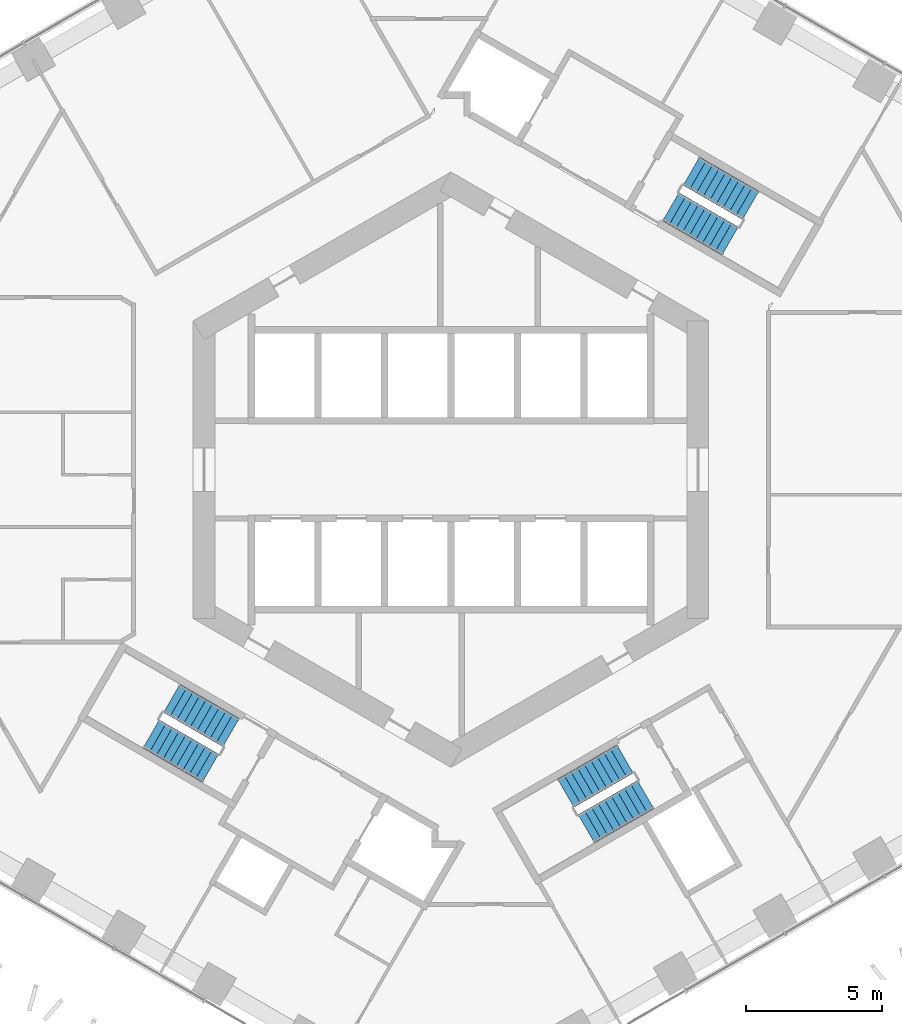
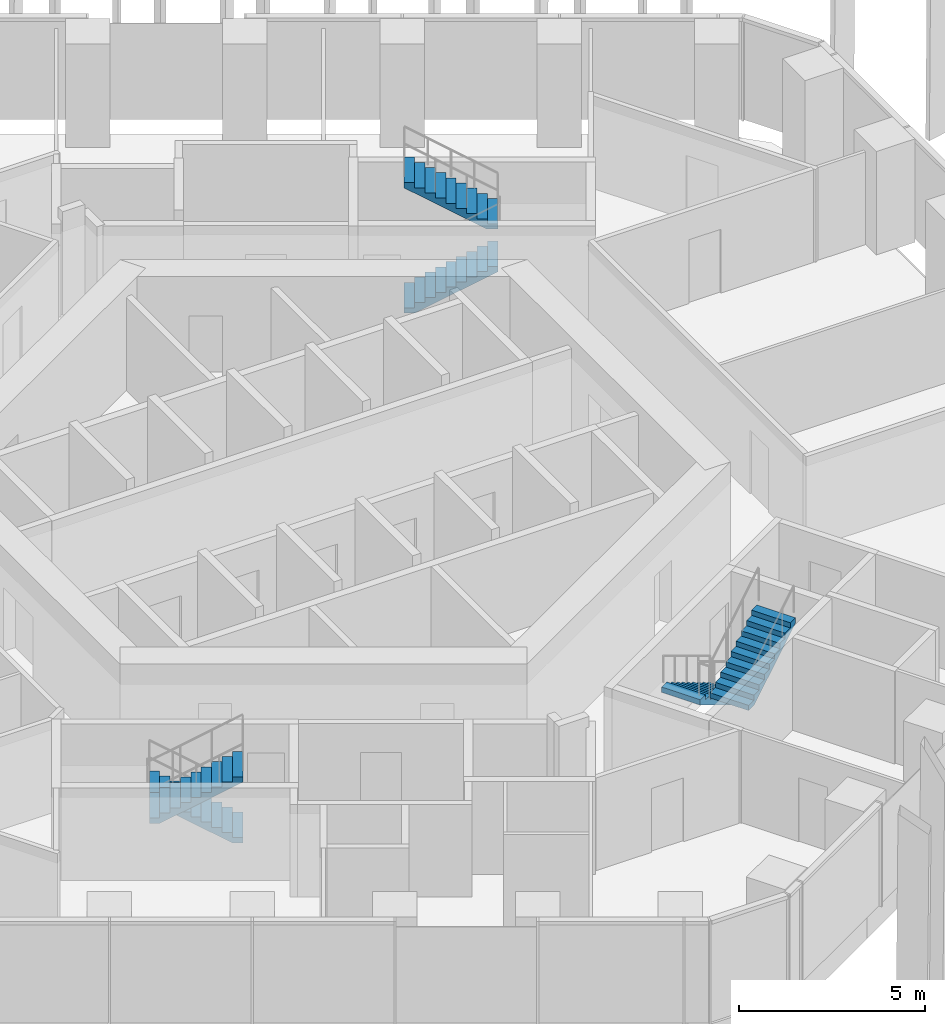
# One storey, part 16 of 19: 6 stair flights, 3 elements without a shape of their own.
"""IFC4 building model written with IfcOpenShell, lengths in metres."""

from ifc_helpers import new_model, si_unit, direction, frame, origin, place, context, subcontext, project, spatial, triangles, material, type_object, element, aggregate, save


model = new_model("IFC4")

# Units and contexts
model_context = context("Model", 3, precision=1e-05, world=origin(), true_north=direction((0.0, 1.0)))
body_context = subcontext(model_context, "Body", "Model", "MODEL_VIEW")
ifc_project = project(units=[si_unit("LENGTHUNIT", "METRE"), si_unit("AREAUNIT", "SQUARE_METRE"), si_unit("VOLUMEUNIT", "CUBIC_METRE"), si_unit("PLANEANGLEUNIT", "RADIAN"), si_unit("MASSUNIT", "GRAM", prefix="KILO")], contexts=[model_context])

# Site, building, storey
site_placement = place(None, origin())
site = spatial("IfcSite", under=ifc_project, at=site_placement, CompositionType="ELEMENT")
building_placement = place(site_placement, origin())
building = spatial("IfcBuilding", under=site, at=building_placement, Name="Ayvan Gate Tower", CompositionType="ELEMENT")
storey_placement = place(building_placement, frame((0.0, 0.0, 56.10009765625)))
storey = spatial("IfcBuildingStorey", under=building, at=storey_placement, Name="L14", CompositionType="ELEMENT", Elevation=56.10009765625)

# Stair, stair flights
ifc_material = material(Name="Concrete C40/50", Category="concrete")
stair_type = type_object("IfcStairType", Name="ST-EXIT", PredefinedType="HALF_TURN_STAIR", material=ifc_material)
stair_1_placement = place(storey_placement, origin())
stair_1 = element("IfcStair", 1, at=stair_1_placement, inside=storey, type_object=stair_type, Name="L14 Exit Stair S1", PredefinedType="HALF_TURN_STAIR")
stair_flight_type = type_object("IfcStairFlightType", Name="SFL-EXIT", PredefinedType="STRAIGHT", material=ifc_material)
stair_flight_1_placement = place(storey_placement, frame((8.106201171875, 9.690185546875, 0.0), z_axis=(0.0, 0.0, 1.0), x_axis=(0.866025403784, -0.5, 0.0)))
stair_flight_1 = element("IfcStairFlight", 2, at=stair_flight_1_placement, type_object=stair_flight_type, Name="STS1 flight 1", NumberOfRisers=10, NumberOfTreads=9, PredefinedType="STRAIGHT", RiserHeight=0.17, TreadLength=0.28, context=body_context, shape_type="Tessellation", body=[
    triangles([(0.288841, -0.599976, 0.0), (2.5205, -0.599976, 1.354936), (2.5205, -0.599976, 1.53), (2.24, -0.599976, 1.53), (2.24, -0.599976, 1.36), (1.96, -0.599976, 1.36), (1.96, -0.599976, 1.19), (1.68, -0.599976, 1.19), (1.68, -0.599976, 1.02), (1.4, -0.599976, 1.02), (1.4, -0.599976, 0.85), (1.12, -0.599976, 0.85), (1.12, -0.599976, 0.68), (0.84, -0.599976, 0.68), (0.84, -0.599976, 0.51), (0.56, -0.599976, 0.51), (0.56, -0.599976, 0.34), (0.28, -0.599976, 0.34), (0.28, -0.599976, 0.17), (-0.0005, -0.599976, 0.17), (-0.0005, -0.599976, 0.0), (0.288841, 0.0, 0.0), (2.5205, 0.0, 1.354936), (2.5205, 0.0, 1.53), (2.24, 0.0, 1.53), (2.24, 0.0, 1.36), (1.96, 0.0, 1.36), (1.96, 0.0, 1.19), (1.68, 0.0, 1.19), (1.68, 0.0, 1.02), (1.4, 0.0, 1.02), (1.4, 0.0, 0.85), (1.12, 0.0, 0.85), (1.12, 0.0, 0.68), (0.84, 0.0, 0.68), (0.84, 0.0, 0.51), (0.56, 0.0, 0.51), (0.56, 0.0, 0.34), (0.28, 0.0, 0.34), (0.28, 0.0, 0.17), (-0.0005, 0.0, 0.17), (-0.0005, 0.0, 0.0), (0.288841, 0.599976, 0.0), (2.5205, 0.599976, 1.354936), (2.5205, 0.599976, 1.53), (2.24, 0.599976, 1.53), (2.24, 0.599976, 1.36), (1.96, 0.599976, 1.36), (1.96, 0.599976, 1.19), (1.68, 0.599976, 1.19), (1.68, 0.599976, 1.02), (1.4, 0.599976, 1.02), (1.4, 0.599976, 0.85), (1.12, 0.599976, 0.85), (1.12, 0.599976, 0.68), (0.84, 0.599976, 0.68), (0.84, 0.599976, 0.51), (0.56, 0.599976, 0.51), (0.56, 0.599976, 0.34), (0.28, 0.599976, 0.34), (0.28, 0.599976, 0.17), (-0.0005, 0.599976, 0.17), (-0.0005, 0.599976, 0.0)], [[21, 1, 2], [63, 44, 43], [2, 3, 4], [44, 46, 45], [2, 4, 5], [44, 47, 46], [2, 5, 6], [44, 48, 47], [2, 6, 7], [44, 49, 48], [7, 8, 9], [49, 51, 50], [2, 7, 9], [44, 51, 49], [9, 10, 11], [51, 53, 52], [2, 9, 11], [44, 53, 51], [11, 12, 13], [53, 55, 54], [2, 11, 13], [44, 55, 53], [13, 14, 15], [55, 57, 56], [2, 13, 15], [44, 57, 55], [15, 16, 17], [57, 59, 58], [2, 15, 17], [44, 59, 57], [17, 18, 19], [59, 61, 60], [2, 17, 19], [44, 61, 59], [21, 2, 19], [63, 61, 44], [19, 20, 21], [61, 63, 62], [1, 22, 23], [1, 23, 2], [43, 23, 22], [43, 44, 23], [2, 23, 24], [2, 24, 3], [44, 24, 23], [44, 45, 24], [3, 24, 25], [3, 25, 4], [45, 25, 24], [45, 46, 25], [4, 25, 26], [4, 26, 5], [46, 26, 25], [46, 47, 26], [5, 26, 27], [5, 27, 6], [47, 27, 26], [47, 48, 27], [6, 27, 28], [6, 28, 7], [48, 28, 27], [48, 49, 28], [7, 28, 29], [7, 29, 8], [49, 29, 28], [49, 50, 29], [8, 29, 30], [8, 30, 9], [50, 30, 29], [50, 51, 30], [9, 30, 31], [9, 31, 10], [51, 31, 30], [51, 52, 31], [10, 31, 32], [10, 32, 11], [52, 32, 31], [52, 53, 32], [11, 32, 33], [11, 33, 12], [53, 33, 32], [53, 54, 33], [12, 33, 34], [12, 34, 13], [54, 34, 33], [54, 55, 34], [13, 34, 35], [13, 35, 14], [55, 35, 34], [55, 56, 35], [14, 35, 36], [14, 36, 15], [56, 36, 35], [56, 57, 36], [15, 36, 37], [15, 37, 16], [57, 37, 36], [57, 58, 37], [16, 37, 38], [16, 38, 17], [58, 38, 37], [58, 59, 38], [17, 38, 39], [17, 39, 18], [59, 39, 38], [59, 60, 39], [18, 39, 40], [18, 40, 19], [60, 40, 39], [60, 61, 40], [19, 40, 41], [19, 41, 20], [61, 41, 40], [61, 62, 41], [20, 41, 42], [20, 42, 21], [62, 42, 41], [62, 63, 42], [21, 42, 22], [21, 22, 1], [63, 22, 42], [63, 43, 22]], closed=True),
])
stair_flight_2_placement = place(storey_placement, frame((11.04345703125, 9.73779296875, 1.699951171875), z_axis=(0.0, 0.0, 1.0), x_axis=(-0.866025403784, 0.5, 0.0)))
stair_flight_2 = element("IfcStairFlight", 3, at=stair_flight_2_placement, type_object=stair_flight_type, Name="STS1 flight 2", NumberOfRisers=10, NumberOfTreads=9, PredefinedType="STRAIGHT", RiserHeight=0.17, TreadLength=0.28, context=body_context, shape_type="Tessellation", body=[
    triangles([(0.288841, -0.599976, 0.0), (2.5205, -0.599976, 1.354936), (2.5205, -0.599976, 1.53), (2.24, -0.599976, 1.53), (2.24, -0.599976, 1.36), (1.96, -0.599976, 1.36), (1.96, -0.599976, 1.19), (1.68, -0.599976, 1.19), (1.68, -0.599976, 1.02), (1.4, -0.599976, 1.02), (1.4, -0.599976, 0.85), (1.12, -0.599976, 0.85), (1.12, -0.599976, 0.68), (0.84, -0.599976, 0.68), (0.84, -0.599976, 0.51), (0.56, -0.599976, 0.51), (0.56, -0.599976, 0.34), (0.28, -0.599976, 0.34), (0.28, -0.599976, 0.17), (-0.0005, -0.599976, 0.17), (-0.0005, -0.599976, 0.0), (0.288841, 0.0, 0.0), (2.5205, 0.0, 1.354936), (2.5205, 0.0, 1.53), (2.24, 0.0, 1.53), (2.24, 0.0, 1.36), (1.96, 0.0, 1.36), (1.96, 0.0, 1.19), (1.68, 0.0, 1.19), (1.68, 0.0, 1.02), (1.4, 0.0, 1.02), (1.4, 0.0, 0.85), (1.12, 0.0, 0.85), (1.12, 0.0, 0.68), (0.84, 0.0, 0.68), (0.84, 0.0, 0.51), (0.56, 0.0, 0.51), (0.56, 0.0, 0.34), (0.28, 0.0, 0.34), (0.28, 0.0, 0.17), (-0.0005, 0.0, 0.17), (-0.0005, 0.0, 0.0), (0.288841, 0.599976, 0.0), (2.5205, 0.599976, 1.354936), (2.5205, 0.599976, 1.53), (2.24, 0.599976, 1.53), (2.24, 0.599976, 1.36), (1.96, 0.599976, 1.36), (1.96, 0.599976, 1.19), (1.68, 0.599976, 1.19), (1.68, 0.599976, 1.02), (1.4, 0.599976, 1.02), (1.4, 0.599976, 0.85), (1.12, 0.599976, 0.85), (1.12, 0.599976, 0.68), (0.84, 0.599976, 0.68), (0.84, 0.599976, 0.51), (0.56, 0.599976, 0.51), (0.56, 0.599976, 0.34), (0.28, 0.599976, 0.34), (0.28, 0.599976, 0.17), (-0.0005, 0.599976, 0.17), (-0.0005, 0.599976, 0.0)], [[21, 1, 2], [63, 44, 43], [2, 3, 4], [44, 46, 45], [2, 4, 5], [44, 47, 46], [2, 5, 6], [44, 48, 47], [2, 6, 7], [44, 49, 48], [7, 8, 9], [49, 51, 50], [2, 7, 9], [44, 51, 49], [9, 10, 11], [51, 53, 52], [2, 9, 11], [44, 53, 51], [11, 12, 13], [53, 55, 54], [2, 11, 13], [44, 55, 53], [13, 14, 15], [55, 57, 56], [2, 13, 15], [44, 57, 55], [15, 16, 17], [57, 59, 58], [2, 15, 17], [44, 59, 57], [17, 18, 19], [59, 61, 60], [2, 17, 19], [44, 61, 59], [21, 2, 19], [63, 61, 44], [19, 20, 21], [61, 63, 62], [1, 22, 23], [1, 23, 2], [43, 23, 22], [43, 44, 23], [2, 23, 24], [2, 24, 3], [44, 24, 23], [44, 45, 24], [3, 24, 25], [3, 25, 4], [45, 25, 24], [45, 46, 25], [4, 25, 26], [4, 26, 5], [46, 26, 25], [46, 47, 26], [5, 26, 27], [5, 27, 6], [47, 27, 26], [47, 48, 27], [6, 27, 28], [6, 28, 7], [48, 28, 27], [48, 49, 28], [7, 28, 29], [7, 29, 8], [49, 29, 28], [49, 50, 29], [8, 29, 30], [8, 30, 9], [50, 30, 29], [50, 51, 30], [9, 30, 31], [9, 31, 10], [51, 31, 30], [51, 52, 31], [10, 31, 32], [10, 32, 11], [52, 32, 31], [52, 53, 32], [11, 32, 33], [11, 33, 12], [53, 33, 32], [53, 54, 33], [12, 33, 34], [12, 34, 13], [54, 34, 33], [54, 55, 34], [13, 34, 35], [13, 35, 14], [55, 35, 34], [55, 56, 35], [14, 35, 36], [14, 36, 15], [56, 36, 35], [56, 57, 36], [15, 36, 37], [15, 37, 16], [57, 37, 36], [57, 58, 37], [16, 37, 38], [16, 38, 17], [58, 38, 37], [58, 59, 38], [17, 38, 39], [17, 39, 18], [59, 39, 38], [59, 60, 39], [18, 39, 40], [18, 40, 19], [60, 40, 39], [60, 61, 40], [19, 40, 41], [19, 41, 20], [61, 41, 40], [61, 62, 41], [20, 41, 42], [20, 42, 21], [62, 42, 41], [62, 63, 42], [21, 42, 22], [21, 22, 1], [63, 22, 42], [63, 43, 22]], closed=True),
])
aggregate(stair_1, [stair_flight_1, stair_flight_2])

stair_2_placement = place(storey_placement, origin())
stair_2 = element("IfcStair", 4, at=stair_2_placement, inside=storey, type_object=stair_type, Name="L14 Exit Stair S2", PredefinedType="HALF_TURN_STAIR")
stair_flight_3_placement = place(storey_placement, frame((-8.106201171875, -9.690185546875, 0.0), z_axis=(0.0, 0.0, 1.0), x_axis=(-0.866025403784, 0.5, 0.0)))
stair_flight_3 = element("IfcStairFlight", 5, at=stair_flight_3_placement, type_object=stair_flight_type, Name="STS2 flight 1", NumberOfRisers=10, NumberOfTreads=9, PredefinedType="STRAIGHT", RiserHeight=0.17, TreadLength=0.28, context=body_context, shape_type="Tessellation", body=[
    triangles([(0.288841, -0.599976, 0.0), (2.5205, -0.599976, 1.354936), (2.5205, -0.599976, 1.53), (2.24, -0.599976, 1.53), (2.24, -0.599976, 1.36), (1.96, -0.599976, 1.36), (1.96, -0.599976, 1.19), (1.68, -0.599976, 1.19), (1.68, -0.599976, 1.02), (1.4, -0.599976, 1.02), (1.4, -0.599976, 0.85), (1.12, -0.599976, 0.85), (1.12, -0.599976, 0.68), (0.84, -0.599976, 0.68), (0.84, -0.599976, 0.51), (0.56, -0.599976, 0.51), (0.56, -0.599976, 0.34), (0.28, -0.599976, 0.34), (0.28, -0.599976, 0.17), (-0.0005, -0.599976, 0.17), (-0.0005, -0.599976, 0.0), (0.288841, 0.0, 0.0), (2.5205, 0.0, 1.354936), (2.5205, 0.0, 1.53), (2.24, 0.0, 1.53), (2.24, 0.0, 1.36), (1.96, 0.0, 1.36), (1.96, 0.0, 1.19), (1.68, 0.0, 1.19), (1.68, 0.0, 1.02), (1.4, 0.0, 1.02), (1.4, 0.0, 0.85), (1.12, 0.0, 0.85), (1.12, 0.0, 0.68), (0.84, 0.0, 0.68), (0.84, 0.0, 0.51), (0.56, 0.0, 0.51), (0.56, 0.0, 0.34), (0.28, 0.0, 0.34), (0.28, 0.0, 0.17), (-0.0005, 0.0, 0.17), (-0.0005, 0.0, 0.0), (0.288841, 0.599976, 0.0), (2.5205, 0.599976, 1.354936), (2.5205, 0.599976, 1.53), (2.24, 0.599976, 1.53), (2.24, 0.599976, 1.36), (1.96, 0.599976, 1.36), (1.96, 0.599976, 1.19), (1.68, 0.599976, 1.19), (1.68, 0.599976, 1.02), (1.4, 0.599976, 1.02), (1.4, 0.599976, 0.85), (1.12, 0.599976, 0.85), (1.12, 0.599976, 0.68), (0.84, 0.599976, 0.68), (0.84, 0.599976, 0.51), (0.56, 0.599976, 0.51), (0.56, 0.599976, 0.34), (0.28, 0.599976, 0.34), (0.28, 0.599976, 0.17), (-0.0005, 0.599976, 0.17), (-0.0005, 0.599976, 0.0)], [[21, 1, 2], [63, 44, 43], [2, 3, 4], [44, 46, 45], [2, 4, 5], [44, 47, 46], [2, 5, 6], [44, 48, 47], [2, 6, 7], [44, 49, 48], [7, 8, 9], [49, 51, 50], [2, 7, 9], [44, 51, 49], [9, 10, 11], [51, 53, 52], [2, 9, 11], [44, 53, 51], [11, 12, 13], [53, 55, 54], [2, 11, 13], [44, 55, 53], [13, 14, 15], [55, 57, 56], [2, 13, 15], [44, 57, 55], [15, 16, 17], [57, 59, 58], [2, 15, 17], [44, 59, 57], [17, 18, 19], [59, 61, 60], [2, 17, 19], [44, 61, 59], [21, 2, 19], [63, 61, 44], [19, 20, 21], [61, 63, 62], [1, 22, 23], [1, 23, 2], [43, 23, 22], [43, 44, 23], [2, 23, 24], [2, 24, 3], [44, 24, 23], [44, 45, 24], [3, 24, 25], [3, 25, 4], [45, 25, 24], [45, 46, 25], [4, 25, 26], [4, 26, 5], [46, 26, 25], [46, 47, 26], [5, 26, 27], [5, 27, 6], [47, 27, 26], [47, 48, 27], [6, 27, 28], [6, 28, 7], [48, 28, 27], [48, 49, 28], [7, 28, 29], [7, 29, 8], [49, 29, 28], [49, 50, 29], [8, 29, 30], [8, 30, 9], [50, 30, 29], [50, 51, 30], [9, 30, 31], [9, 31, 10], [51, 31, 30], [51, 52, 31], [10, 31, 32], [10, 32, 11], [52, 32, 31], [52, 53, 32], [11, 32, 33], [11, 33, 12], [53, 33, 32], [53, 54, 33], [12, 33, 34], [12, 34, 13], [54, 34, 33], [54, 55, 34], [13, 34, 35], [13, 35, 14], [55, 35, 34], [55, 56, 35], [14, 35, 36], [14, 36, 15], [56, 36, 35], [56, 57, 36], [15, 36, 37], [15, 37, 16], [57, 37, 36], [57, 58, 37], [16, 37, 38], [16, 38, 17], [58, 38, 37], [58, 59, 38], [17, 38, 39], [17, 39, 18], [59, 39, 38], [59, 60, 39], [18, 39, 40], [18, 40, 19], [60, 40, 39], [60, 61, 40], [19, 40, 41], [19, 41, 20], [61, 41, 40], [61, 62, 41], [20, 41, 42], [20, 42, 21], [62, 42, 41], [62, 63, 42], [21, 42, 22], [21, 22, 1], [63, 22, 42], [63, 43, 22]], closed=True),
])
stair_flight_4_placement = place(storey_placement, frame((-11.04345703125, -9.73779296875, 1.699951171875), z_axis=(0.0, 0.0, 1.0), x_axis=(0.866025403784, -0.5, 0.0)))
stair_flight_4 = element("IfcStairFlight", 6, at=stair_flight_4_placement, type_object=stair_flight_type, Name="STS2 flight 2", NumberOfRisers=10, NumberOfTreads=9, PredefinedType="STRAIGHT", RiserHeight=0.17, TreadLength=0.28, context=body_context, shape_type="Tessellation", body=[
    triangles([(0.288841, -0.599976, 0.0), (2.5205, -0.599976, 1.354936), (2.5205, -0.599976, 1.53), (2.24, -0.599976, 1.53), (2.24, -0.599976, 1.36), (1.96, -0.599976, 1.36), (1.96, -0.599976, 1.19), (1.68, -0.599976, 1.19), (1.68, -0.599976, 1.02), (1.4, -0.599976, 1.02), (1.4, -0.599976, 0.85), (1.12, -0.599976, 0.85), (1.12, -0.599976, 0.68), (0.84, -0.599976, 0.68), (0.84, -0.599976, 0.51), (0.56, -0.599976, 0.51), (0.56, -0.599976, 0.34), (0.28, -0.599976, 0.34), (0.28, -0.599976, 0.17), (-0.0005, -0.599976, 0.17), (-0.0005, -0.599976, 0.0), (0.288841, 0.0, 0.0), (2.5205, 0.0, 1.354936), (2.5205, 0.0, 1.53), (2.24, 0.0, 1.53), (2.24, 0.0, 1.36), (1.96, 0.0, 1.36), (1.96, 0.0, 1.19), (1.68, 0.0, 1.19), (1.68, 0.0, 1.02), (1.4, 0.0, 1.02), (1.4, 0.0, 0.85), (1.12, 0.0, 0.85), (1.12, 0.0, 0.68), (0.84, 0.0, 0.68), (0.84, 0.0, 0.51), (0.56, 0.0, 0.51), (0.56, 0.0, 0.34), (0.28, 0.0, 0.34), (0.28, 0.0, 0.17), (-0.0005, 0.0, 0.17), (-0.0005, 0.0, 0.0), (0.288841, 0.599976, 0.0), (2.5205, 0.599976, 1.354936), (2.5205, 0.599976, 1.53), (2.24, 0.599976, 1.53), (2.24, 0.599976, 1.36), (1.96, 0.599976, 1.36), (1.96, 0.599976, 1.19), (1.68, 0.599976, 1.19), (1.68, 0.599976, 1.02), (1.4, 0.599976, 1.02), (1.4, 0.599976, 0.85), (1.12, 0.599976, 0.85), (1.12, 0.599976, 0.68), (0.84, 0.599976, 0.68), (0.84, 0.599976, 0.51), (0.56, 0.599976, 0.51), (0.56, 0.599976, 0.34), (0.28, 0.599976, 0.34), (0.28, 0.599976, 0.17), (-0.0005, 0.599976, 0.17), (-0.0005, 0.599976, 0.0)], [[21, 1, 2], [63, 44, 43], [2, 3, 4], [44, 46, 45], [2, 4, 5], [44, 47, 46], [2, 5, 6], [44, 48, 47], [2, 6, 7], [44, 49, 48], [7, 8, 9], [49, 51, 50], [2, 7, 9], [44, 51, 49], [9, 10, 11], [51, 53, 52], [2, 9, 11], [44, 53, 51], [11, 12, 13], [53, 55, 54], [2, 11, 13], [44, 55, 53], [13, 14, 15], [55, 57, 56], [2, 13, 15], [44, 57, 55], [15, 16, 17], [57, 59, 58], [2, 15, 17], [44, 59, 57], [17, 18, 19], [59, 61, 60], [2, 17, 19], [44, 61, 59], [21, 2, 19], [63, 61, 44], [19, 20, 21], [61, 63, 62], [1, 22, 23], [1, 23, 2], [43, 23, 22], [43, 44, 23], [2, 23, 24], [2, 24, 3], [44, 24, 23], [44, 45, 24], [3, 24, 25], [3, 25, 4], [45, 25, 24], [45, 46, 25], [4, 25, 26], [4, 26, 5], [46, 26, 25], [46, 47, 26], [5, 26, 27], [5, 27, 6], [47, 27, 26], [47, 48, 27], [6, 27, 28], [6, 28, 7], [48, 28, 27], [48, 49, 28], [7, 28, 29], [7, 29, 8], [49, 29, 28], [49, 50, 29], [8, 29, 30], [8, 30, 9], [50, 30, 29], [50, 51, 30], [9, 30, 31], [9, 31, 10], [51, 31, 30], [51, 52, 31], [10, 31, 32], [10, 32, 11], [52, 32, 31], [52, 53, 32], [11, 32, 33], [11, 33, 12], [53, 33, 32], [53, 54, 33], [12, 33, 34], [12, 34, 13], [54, 34, 33], [54, 55, 34], [13, 34, 35], [13, 35, 14], [55, 35, 34], [55, 56, 35], [14, 35, 36], [14, 36, 15], [56, 36, 35], [56, 57, 36], [15, 36, 37], [15, 37, 16], [57, 37, 36], [57, 58, 37], [16, 37, 38], [16, 38, 17], [58, 38, 37], [58, 59, 38], [17, 38, 39], [17, 39, 18], [59, 39, 38], [59, 60, 39], [18, 39, 40], [18, 40, 19], [60, 40, 39], [60, 61, 40], [19, 40, 41], [19, 41, 20], [61, 41, 40], [61, 62, 41], [20, 41, 42], [20, 42, 21], [62, 42, 41], [62, 63, 42], [21, 42, 22], [21, 22, 1], [63, 22, 42], [63, 43, 22]], closed=True),
])
aggregate(stair_2, [stair_flight_3, stair_flight_4])

stair_3_placement = place(storey_placement, origin())
stair_3 = element("IfcStair", 7, at=stair_3_placement, inside=storey, type_object=stair_type, Name="L14 Exit Stair S3", PredefinedType="HALF_TURN_STAIR")
stair_flight_5_placement = place(storey_placement, frame((6.417236328125, -10.665283203125, 0.0), z_axis=(0.0, 0.0, 1.0), x_axis=(-0.866025403784, -0.5, 0.0)))
stair_flight_5 = element("IfcStairFlight", 8, at=stair_flight_5_placement, type_object=stair_flight_type, Name="STS3 flight 1", NumberOfRisers=10, NumberOfTreads=9, PredefinedType="STRAIGHT", RiserHeight=0.17, TreadLength=0.28, context=body_context, shape_type="Tessellation", body=[
    triangles([(0.288841, -0.599976, 0.0), (2.5205, -0.599976, 1.354936), (2.5205, -0.599976, 1.53), (2.24, -0.599976, 1.53), (2.24, -0.599976, 1.36), (1.96, -0.599976, 1.36), (1.96, -0.599976, 1.19), (1.68, -0.599976, 1.19), (1.68, -0.599976, 1.02), (1.4, -0.599976, 1.02), (1.4, -0.599976, 0.85), (1.12, -0.599976, 0.85), (1.12, -0.599976, 0.68), (0.84, -0.599976, 0.68), (0.84, -0.599976, 0.51), (0.56, -0.599976, 0.51), (0.56, -0.599976, 0.34), (0.28, -0.599976, 0.34), (0.28, -0.599976, 0.17), (-0.0005, -0.599976, 0.17), (-0.0005, -0.599976, 0.0), (0.288841, 0.0, 0.0), (2.5205, 0.0, 1.354936), (2.5205, 0.0, 1.53), (2.24, 0.0, 1.53), (2.24, 0.0, 1.36), (1.96, 0.0, 1.36), (1.96, 0.0, 1.19), (1.68, 0.0, 1.19), (1.68, 0.0, 1.02), (1.4, 0.0, 1.02), (1.4, 0.0, 0.85), (1.12, 0.0, 0.85), (1.12, 0.0, 0.68), (0.84, 0.0, 0.68), (0.84, 0.0, 0.51), (0.56, 0.0, 0.51), (0.56, 0.0, 0.34), (0.28, 0.0, 0.34), (0.28, 0.0, 0.17), (-0.0005, 0.0, 0.17), (-0.0005, 0.0, 0.0), (0.288841, 0.599976, 0.0), (2.5205, 0.599976, 1.354936), (2.5205, 0.599976, 1.53), (2.24, 0.599976, 1.53), (2.24, 0.599976, 1.36), (1.96, 0.599976, 1.36), (1.96, 0.599976, 1.19), (1.68, 0.599976, 1.19), (1.68, 0.599976, 1.02), (1.4, 0.599976, 1.02), (1.4, 0.599976, 0.85), (1.12, 0.599976, 0.85), (1.12, 0.599976, 0.68), (0.84, 0.599976, 0.68), (0.84, 0.599976, 0.51), (0.56, 0.599976, 0.51), (0.56, 0.599976, 0.34), (0.28, 0.599976, 0.34), (0.28, 0.599976, 0.17), (-0.0005, 0.599976, 0.17), (-0.0005, 0.599976, 0.0)], [[21, 1, 2], [63, 44, 43], [2, 3, 4], [44, 46, 45], [2, 4, 5], [44, 47, 46], [2, 5, 6], [44, 48, 47], [2, 6, 7], [44, 49, 48], [7, 8, 9], [49, 51, 50], [2, 7, 9], [44, 51, 49], [9, 10, 11], [51, 53, 52], [2, 9, 11], [44, 53, 51], [11, 12, 13], [53, 55, 54], [2, 11, 13], [44, 55, 53], [13, 14, 15], [55, 57, 56], [2, 13, 15], [44, 57, 55], [15, 16, 17], [57, 59, 58], [2, 15, 17], [44, 59, 57], [17, 18, 19], [59, 61, 60], [2, 17, 19], [44, 61, 59], [21, 2, 19], [63, 61, 44], [19, 20, 21], [61, 63, 62], [1, 22, 23], [1, 23, 2], [43, 23, 22], [43, 44, 23], [2, 23, 24], [2, 24, 3], [44, 24, 23], [44, 45, 24], [3, 24, 25], [3, 25, 4], [45, 25, 24], [45, 46, 25], [4, 25, 26], [4, 26, 5], [46, 26, 25], [46, 47, 26], [5, 26, 27], [5, 27, 6], [47, 27, 26], [47, 48, 27], [6, 27, 28], [6, 28, 7], [48, 28, 27], [48, 49, 28], [7, 28, 29], [7, 29, 8], [49, 29, 28], [49, 50, 29], [8, 29, 30], [8, 30, 9], [50, 30, 29], [50, 51, 30], [9, 30, 31], [9, 31, 10], [51, 31, 30], [51, 52, 31], [10, 31, 32], [10, 32, 11], [52, 32, 31], [52, 53, 32], [11, 32, 33], [11, 33, 12], [53, 33, 32], [53, 54, 33], [12, 33, 34], [12, 34, 13], [54, 34, 33], [54, 55, 34], [13, 34, 35], [13, 35, 14], [55, 35, 34], [55, 56, 35], [14, 35, 36], [14, 36, 15], [56, 36, 35], [56, 57, 36], [15, 36, 37], [15, 37, 16], [57, 37, 36], [57, 58, 37], [16, 37, 38], [16, 38, 17], [58, 38, 37], [58, 59, 38], [17, 38, 39], [17, 39, 18], [59, 39, 38], [59, 60, 39], [18, 39, 40], [18, 40, 19], [60, 40, 39], [60, 61, 40], [19, 40, 41], [19, 41, 20], [61, 41, 40], [61, 62, 41], [20, 41, 42], [20, 42, 21], [62, 42, 41], [62, 63, 42], [21, 42, 22], [21, 22, 1], [63, 22, 42], [63, 43, 22]], closed=True),
])
stair_flight_6_placement = place(storey_placement, frame((4.989990234375, -13.23291015625, 1.699951171875), z_axis=(0.0, 0.0, 1.0), x_axis=(0.866025403784, 0.5, 0.0)))
stair_flight_6 = element("IfcStairFlight", 9, at=stair_flight_6_placement, type_object=stair_flight_type, Name="STS3 flight 2", NumberOfRisers=10, NumberOfTreads=9, PredefinedType="STRAIGHT", RiserHeight=0.17, TreadLength=0.28, context=body_context, shape_type="Tessellation", body=[
    triangles([(0.288841, -0.599976, 0.0), (2.5205, -0.599976, 1.354936), (2.5205, -0.599976, 1.53), (2.24, -0.599976, 1.53), (2.24, -0.599976, 1.36), (1.96, -0.599976, 1.36), (1.96, -0.599976, 1.19), (1.68, -0.599976, 1.19), (1.68, -0.599976, 1.02), (1.4, -0.599976, 1.02), (1.4, -0.599976, 0.85), (1.12, -0.599976, 0.85), (1.12, -0.599976, 0.68), (0.84, -0.599976, 0.68), (0.84, -0.599976, 0.51), (0.56, -0.599976, 0.51), (0.56, -0.599976, 0.34), (0.28, -0.599976, 0.34), (0.28, -0.599976, 0.17), (-0.0005, -0.599976, 0.17), (-0.0005, -0.599976, 0.0), (0.288841, 0.0, 0.0), (2.5205, 0.0, 1.354936), (2.5205, 0.0, 1.53), (2.24, 0.0, 1.53), (2.24, 0.0, 1.36), (1.96, 0.0, 1.36), (1.96, 0.0, 1.19), (1.68, 0.0, 1.19), (1.68, 0.0, 1.02), (1.4, 0.0, 1.02), (1.4, 0.0, 0.85), (1.12, 0.0, 0.85), (1.12, 0.0, 0.68), (0.84, 0.0, 0.68), (0.84, 0.0, 0.51), (0.56, 0.0, 0.51), (0.56, 0.0, 0.34), (0.28, 0.0, 0.34), (0.28, 0.0, 0.17), (-0.0005, 0.0, 0.17), (-0.0005, 0.0, 0.0), (0.288841, 0.599976, 0.0), (2.5205, 0.599976, 1.354936), (2.5205, 0.599976, 1.53), (2.24, 0.599976, 1.53), (2.24, 0.599976, 1.36), (1.96, 0.599976, 1.36), (1.96, 0.599976, 1.19), (1.68, 0.599976, 1.19), (1.68, 0.599976, 1.02), (1.4, 0.599976, 1.02), (1.4, 0.599976, 0.85), (1.12, 0.599976, 0.85), (1.12, 0.599976, 0.68), (0.84, 0.599976, 0.68), (0.84, 0.599976, 0.51), (0.56, 0.599976, 0.51), (0.56, 0.599976, 0.34), (0.28, 0.599976, 0.34), (0.28, 0.599976, 0.17), (-0.0005, 0.599976, 0.17), (-0.0005, 0.599976, 0.0)], [[21, 1, 2], [63, 44, 43], [2, 3, 4], [44, 46, 45], [2, 4, 5], [44, 47, 46], [2, 5, 6], [44, 48, 47], [2, 6, 7], [44, 49, 48], [7, 8, 9], [49, 51, 50], [2, 7, 9], [44, 51, 49], [9, 10, 11], [51, 53, 52], [2, 9, 11], [44, 53, 51], [11, 12, 13], [53, 55, 54], [2, 11, 13], [44, 55, 53], [13, 14, 15], [55, 57, 56], [2, 13, 15], [44, 57, 55], [15, 16, 17], [57, 59, 58], [2, 15, 17], [44, 59, 57], [17, 18, 19], [59, 61, 60], [2, 17, 19], [44, 61, 59], [21, 2, 19], [63, 61, 44], [19, 20, 21], [61, 63, 62], [1, 22, 23], [1, 23, 2], [43, 23, 22], [43, 44, 23], [2, 23, 24], [2, 24, 3], [44, 24, 23], [44, 45, 24], [3, 24, 25], [3, 25, 4], [45, 25, 24], [45, 46, 25], [4, 25, 26], [4, 26, 5], [46, 26, 25], [46, 47, 26], [5, 26, 27], [5, 27, 6], [47, 27, 26], [47, 48, 27], [6, 27, 28], [6, 28, 7], [48, 28, 27], [48, 49, 28], [7, 28, 29], [7, 29, 8], [49, 29, 28], [49, 50, 29], [8, 29, 30], [8, 30, 9], [50, 30, 29], [50, 51, 30], [9, 30, 31], [9, 31, 10], [51, 31, 30], [51, 52, 31], [10, 31, 32], [10, 32, 11], [52, 32, 31], [52, 53, 32], [11, 32, 33], [11, 33, 12], [53, 33, 32], [53, 54, 33], [12, 33, 34], [12, 34, 13], [54, 34, 33], [54, 55, 34], [13, 34, 35], [13, 35, 14], [55, 35, 34], [55, 56, 35], [14, 35, 36], [14, 36, 15], [56, 36, 35], [56, 57, 36], [15, 36, 37], [15, 37, 16], [57, 37, 36], [57, 58, 37], [16, 37, 38], [16, 38, 17], [58, 38, 37], [58, 59, 38], [17, 38, 39], [17, 39, 18], [59, 39, 38], [59, 60, 39], [18, 39, 40], [18, 40, 19], [60, 40, 39], [60, 61, 40], [19, 40, 41], [19, 41, 20], [61, 41, 40], [61, 62, 41], [20, 41, 42], [20, 42, 21], [62, 42, 41], [62, 63, 42], [21, 42, 22], [21, 22, 1], [63, 22, 42], [63, 43, 22]], closed=True),
])
aggregate(stair_3, [stair_flight_5, stair_flight_6])

save(model, "model.ifc")
